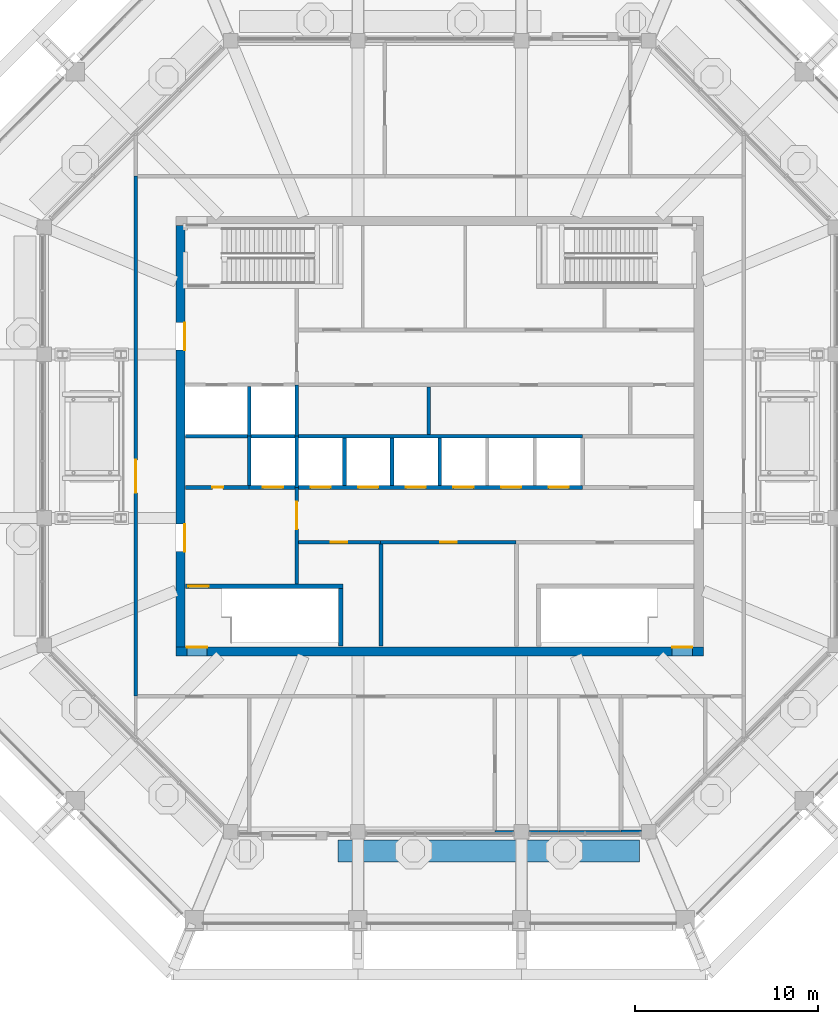
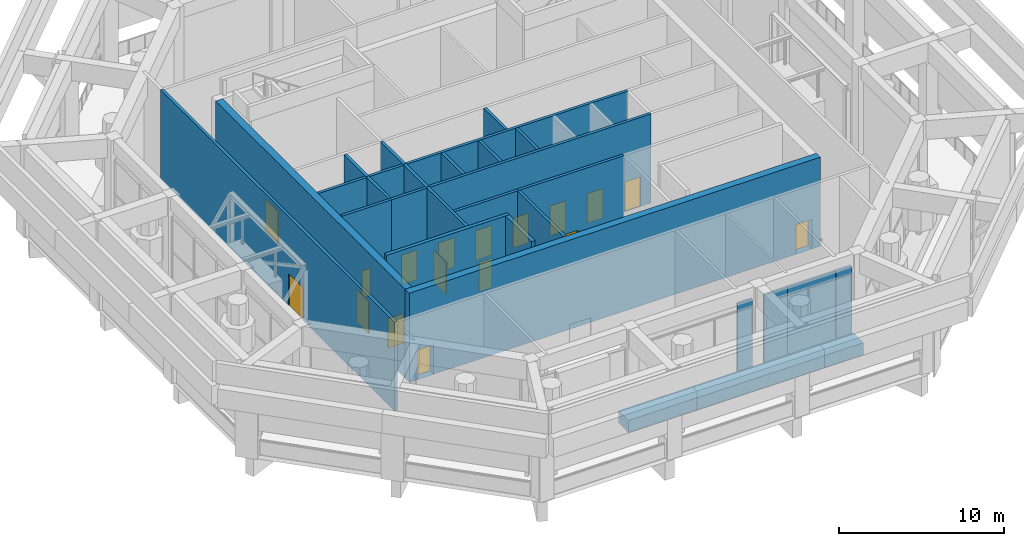
# One storey, part 14 of 29: 25 walls, 17 doors, 17 openings.
"""IFC4 building model written with IfcOpenShell, lengths in metres."""

from ifc_helpers import new_model, si_unit, direction, frame, frame_2d, origin, place, context, subcontext, project, spatial, rectangle, extrude, material, layer, layer_set, type_object, element, fill, save


model = new_model("IFC4")

# Units and contexts
model_context = context("Model", 3, precision=1e-05, world=origin(), true_north=direction((0.0, 1.0)))
body_context = subcontext(model_context, "Body", "Model", "MODEL_VIEW")
ifc_project = project(units=[si_unit("LENGTHUNIT", "METRE"), si_unit("AREAUNIT", "SQUARE_METRE"), si_unit("VOLUMEUNIT", "CUBIC_METRE"), si_unit("PLANEANGLEUNIT", "RADIAN"), si_unit("MASSUNIT", "GRAM", prefix="KILO")], contexts=[model_context])

# Site, building, storey
site_placement = place(None, origin())
site = spatial("IfcSite", under=ifc_project, at=site_placement, CompositionType="ELEMENT")
building_placement = place(site_placement, origin())
building = spatial("IfcBuilding", under=site, at=building_placement, Name="Msitu Wima Residences", CompositionType="ELEMENT")
storey_placement = place(building_placement, frame((0.0, 0.0, 320.10009765625)))
storey = spatial("IfcBuildingStorey", under=building, at=storey_placement, Name="L74", CompositionType="ELEMENT", Elevation=320.10009765625)

# Wall, openings, doors
ifc_material_1 = material(Name="Concrete C50/60", Category="concrete")
ifc_layer_1 = layer(ifc_material_1, 0.5)
ifc_layer_set_1 = layer_set([ifc_layer_1], Name="Concrete C50/60")
wall_type_1 = type_object("IfcWallType", Name="Core wall CW500 C50/60", PredefinedType="SHEAR", material=ifc_layer_set_1)
wall_1_placement = place(storey_placement, frame((-14.39990234375, -11.75, 0.0), z_axis=(0.0, 0.0, 1.0), x_axis=(1.0, 0.0, 0.0)))
wall_1 = element("IfcWall", 1, at=wall_1_placement, inside=storey, type_object=wall_type_1, Name="Core wall", PredefinedType="SHEAR", context=body_context, shape_type="SweptSolid", body=[
    extrude(rectangle(XDim=28.7998046875, YDim=0.5, at=frame_2d((14.39990234375, 0.0))), origin(), (0.0, 0.0, 1.0), 6.599853515625),
])
opening_1_placement = place(wall_1_placement, frame((0.60009765625, 0.0, 0.0)))
opening_1 = element("IfcOpeningElement", 2, at=opening_1_placement, cuts=wall_1, Name="Opening D74.034", PredefinedType="OPENING", context=body_context, shape_type="SweptSolid", body=[
    extrude(rectangle(XDim=1.10009765625, YDim=2.199951171875, at=frame_2d((0.550048828125, 1.10009765625))), frame((0.0, 0.260009765625, 0.0), z_axis=(0.0, -1.0, 0.0), x_axis=(1.0, 0.0, 0.0)), (0.0, 0.0, 1.0), 0.52001953125),
])
opening_2_placement = place(wall_1_placement, frame((27.10009765625, 0.0, 0.0)))
opening_2 = element("IfcOpeningElement", 3, at=opening_2_placement, cuts=wall_1, Name="Opening D74.036", PredefinedType="OPENING", context=body_context, shape_type="SweptSolid", body=[
    extrude(rectangle(XDim=1.10009765625, YDim=2.199951171875, at=frame_2d((0.550048828125, 1.10009765625))), frame((0.0, 0.260009765625, 0.0), z_axis=(0.0, -1.0, 0.0), x_axis=(1.0, 0.0, 0.0)), (0.0, 0.0, 1.0), 0.52001953125),
])
ifc_material_2 = material(Name="Steel door, fire resisting, panic bar", Category="steel")
door_type_1 = type_object("IfcDoorType", Name="Stair door D06 1100x2200", OperationType="SINGLE_SWING_LEFT", PredefinedType="DOOR", material=ifc_material_2)
door_1_placement = place(opening_1_placement, origin())
door_1 = element("IfcDoor", 4, at=door_1_placement, inside=storey, type_object=door_type_1, Name="Stair door", OperationType="SINGLE_SWING_LEFT", OverallHeight=2.199951171875, OverallWidth=1.10009765625, PredefinedType="DOOR", context=body_context, shape_type="SweptSolid", body=[
    extrude(rectangle(XDim=1.10009765625, YDim=2.199951171875, at=frame_2d((0.550048828125, 1.10009765625))), frame((0.0, 0.2451171875, 0.0), z_axis=(0.0, -1.0, 0.0), x_axis=(1.0, 0.0, 0.0)), (0.0, 0.0, 1.0), 0.050048828125),
])
fill(opening_1, door_1)
door_2_placement = place(opening_2_placement, origin())
door_2 = element("IfcDoor", 5, at=door_2_placement, inside=storey, type_object=door_type_1, Name="Stair door", OperationType="SINGLE_SWING_RIGHT", OverallHeight=2.199951171875, OverallWidth=1.10009765625, PredefinedType="DOOR", context=body_context, shape_type="SweptSolid", body=[
    extrude(rectangle(XDim=1.10009765625, YDim=2.199951171875, at=frame_2d((0.550048828125, 1.10009765625))), frame((0.0, 0.2451171875, 0.0), z_axis=(0.0, -1.0, 0.0), x_axis=(1.0, 0.0, 0.0)), (0.0, 0.0, 1.0), 0.050048828125),
])
fill(opening_2, door_2)

wall_2_placement = place(storey_placement, frame((-14.14990234375, -11.5, 0.0), z_axis=(0.0, 0.0, 1.0), x_axis=(0.0, 1.0, 0.0)))
wall_2 = element("IfcWall", 6, at=wall_2_placement, inside=storey, type_object=wall_type_1, Name="Core wall", PredefinedType="SHEAR", context=body_context, shape_type="SweptSolid", body=[
    extrude(rectangle(XDim=23.0, YDim=0.5, at=frame_2d((11.5, 0.0))), origin(), (0.0, 0.0, 1.0), 6.599853515625),
])
opening_3_placement = place(wall_2_placement, frame((16.199951171875, 0.0, 0.0)))
opening_3 = element("IfcOpeningElement", 7, at=opening_3_placement, cuts=wall_2, Name="Opening D74.031", PredefinedType="OPENING", context=body_context, shape_type="SweptSolid", body=[
    extrude(rectangle(XDim=1.5, YDim=2.39990234375, at=frame_2d((0.75, 1.199951171875))), frame((0.0, 0.260009765625, 0.0), z_axis=(0.0, -1.0, 0.0), x_axis=(1.0, 0.0, 0.0)), (0.0, 0.0, 1.0), 0.52001953125),
])
opening_4_placement = place(wall_2_placement, frame((5.199951171875, 0.0, 0.0)))
opening_4 = element("IfcOpeningElement", 8, at=opening_4_placement, cuts=wall_2, Name="Opening D74.032", PredefinedType="OPENING", context=body_context, shape_type="SweptSolid", body=[
    extrude(rectangle(XDim=1.5, YDim=2.39990234375, at=frame_2d((0.75, 1.199951171875))), frame((0.0, 0.260009765625, 0.0), z_axis=(0.0, -1.0, 0.0), x_axis=(1.0, 0.0, 0.0)), (0.0, 0.0, 1.0), 0.52001953125),
])
ifc_material_3 = material(Name="Steel framed glazed door, fire resisting", Category="steel")
door_type_2 = type_object("IfcDoorType", Name="Lobby door D07 1500x2400", OperationType="DOUBLE_DOOR_SINGLE_SWING", PredefinedType="DOOR", material=ifc_material_3)
door_3_placement = place(opening_3_placement, origin())
door_3 = element("IfcDoor", 9, at=door_3_placement, inside=storey, type_object=door_type_2, Name="Lobby door", OperationType="DOUBLE_DOOR_SINGLE_SWING", OverallHeight=2.39990234375, OverallWidth=1.5, PredefinedType="DOOR", context=body_context, shape_type="SweptSolid", body=[
    extrude(rectangle(XDim=1.5, YDim=2.39990234375, at=frame_2d((0.75, 1.199951171875))), frame((0.0, -0.19482421875, 0.0), z_axis=(0.0, -1.0, 0.0), x_axis=(1.0, 0.0, 0.0)), (0.0, 0.0, 1.0), 0.050048828125),
])
fill(opening_3, door_3)
door_4_placement = place(opening_4_placement, origin())
door_4 = element("IfcDoor", 10, at=door_4_placement, inside=storey, type_object=door_type_2, Name="Lobby door", OperationType="DOUBLE_DOOR_SINGLE_SWING", OverallHeight=2.39990234375, OverallWidth=1.5, PredefinedType="DOOR", context=body_context, shape_type="SweptSolid", body=[
    extrude(rectangle(XDim=1.5, YDim=2.39990234375, at=frame_2d((0.75, 1.199951171875))), frame((0.0, -0.19482421875, 0.0), z_axis=(0.0, -1.0, 0.0), x_axis=(1.0, 0.0, 0.0)), (0.0, 0.0, 1.0), 0.050048828125),
])
fill(opening_4, door_4)

# Wall, opening, door
ifc_material_4 = material(Name="Plaster")
ifc_layer_2 = layer(ifc_material_4, 0.011962890625, Name="Plaster")
ifc_material_5 = material(Name="Concrete blockwork", Category="masonry")
ifc_layer_3 = layer(ifc_material_5, 0.176025390625, Name="Concrete blockwork")
ifc_layer_4 = layer(ifc_material_4, 0.011962890625, Name="Plaster")
ifc_layer_set_2 = layer_set([ifc_layer_2, ifc_layer_3, ifc_layer_4], Name="Concrete blockwork")
wall_type_2 = type_object("IfcWallType", Name="Corridor wall FW200", PredefinedType="PARTITIONING", material=ifc_layer_set_2)
wall_3_placement = place(storey_placement, frame((-16.60009765625, -14.199951171875, 0.0), z_axis=(0.0, 0.0, 1.0), x_axis=(0.0, 1.0, 0.0)))
wall_3 = element("IfcWall", 11, at=wall_3_placement, inside=storey, type_object=wall_type_2, Name="Corridor wall", PredefinedType="PARTITIONING", context=body_context, shape_type="SweptSolid", body=[
    extrude(rectangle(XDim=28.39990234375, YDim=0.199951171875, at=frame_2d((14.199951171875, 0.0))), origin(), (0.0, 0.0, 1.0), 6.599853515625),
])
opening_5_placement = place(wall_3_placement, frame((11.10009765625, 0.0, 0.0)))
opening_5 = element("IfcOpeningElement", 12, at=opening_5_placement, cuts=wall_3, Name="Opening D74.022", PredefinedType="OPENING", context=body_context, shape_type="SweptSolid", body=[
    extrude(rectangle(XDim=1.800048828125, YDim=2.39990234375, at=frame_2d((0.89990234375, 1.199951171875))), frame((0.0, 0.10986328125, 0.0), z_axis=(0.0, -1.0, 0.0), x_axis=(1.0, 0.0, 0.0)), (0.0, 0.0, 1.0), 0.219970703125),
])
ifc_material_6 = material(Name="Steel door, fire resisting", Category="steel")
door_type_3 = type_object("IfcDoorType", Name="Plant room door D09 1800x2400", OperationType="DOUBLE_DOOR_SINGLE_SWING", PredefinedType="DOOR", material=ifc_material_6)
door_5_placement = place(opening_5_placement, origin())
door_5 = element("IfcDoor", 13, at=door_5_placement, inside=storey, type_object=door_type_3, Name="Plant room door", OperationType="DOUBLE_DOOR_SINGLE_SWING", OverallHeight=2.39990234375, OverallWidth=1.800048828125, PredefinedType="DOOR", context=body_context, shape_type="SweptSolid", body=[
    extrude(rectangle(XDim=1.800048828125, YDim=2.39990234375, at=frame_2d((0.89990234375, 1.199951171875))), frame((0.0, 0.02490234375, 0.0), z_axis=(0.0, -1.0, 0.0), x_axis=(1.0, 0.0, 0.0)), (0.0, 0.0, 1.0), 0.050048828125),
])
fill(opening_5, door_5)

wall_4_placement = place(storey_placement, frame((-7.800048828125, -8.074951171875, 0.0), z_axis=(0.0, 0.0, 1.0), x_axis=(0.0, 1.0, 0.0)))
wall_4 = element("IfcWall", 14, at=wall_4_placement, inside=storey, type_object=wall_type_2, Name="Corridor wall", PredefinedType="PARTITIONING", context=body_context, shape_type="SweptSolid", body=[
    extrude(rectangle(XDim=5.27490234375, YDim=0.199951171875, at=frame_2d((2.637451171875, 0.0))), origin(), (0.0, 0.0, 1.0), 6.599853515625),
])
opening_6_placement = place(wall_4_placement, frame((3.0, 0.0, 0.0)))
opening_6 = element("IfcOpeningElement", 15, at=opening_6_placement, cuts=wall_4, Name="Opening D74.005", PredefinedType="OPENING", context=body_context, shape_type="SweptSolid", body=[
    extrude(rectangle(XDim=1.5, YDim=2.39990234375, at=frame_2d((0.75, 1.199951171875))), frame((0.0, 0.10986328125, 0.0), z_axis=(0.0, -1.0, 0.0), x_axis=(1.0, 0.0, 0.0)), (0.0, 0.0, 1.0), 0.219970703125),
])
door_6_placement = place(opening_6_placement, origin())
door_6 = element("IfcDoor", 16, at=door_6_placement, inside=storey, type_object=door_type_2, Name="Lobby door", OperationType="DOUBLE_DOOR_SINGLE_SWING", OverallHeight=2.39990234375, OverallWidth=1.5, PredefinedType="DOOR", context=body_context, shape_type="SweptSolid", body=[
    extrude(rectangle(XDim=1.5, YDim=2.39990234375, at=frame_2d((0.75, 1.199951171875))), frame((0.0, 0.02490234375, 0.0), z_axis=(0.0, -1.0, 0.0), x_axis=(1.0, 0.0, 0.0)), (0.0, 0.0, 1.0), 0.050048828125),
])
fill(opening_6, door_6)

wall_5_placement = place(storey_placement, frame((-7.699951171875, -5.800048828125, 0.0), z_axis=(0.0, 0.0, 1.0), x_axis=(1.0, 0.0, 0.0)))
wall_5 = element("IfcWall", 17, at=wall_5_placement, inside=storey, type_object=wall_type_2, Name="Corridor wall", PredefinedType="PARTITIONING", context=body_context, shape_type="SweptSolid", body=[
    extrude(rectangle(XDim=4.47998046875, YDim=0.199951171875, at=frame_2d((2.239990234375, 0.0))), origin(), (0.0, 0.0, 1.0), 6.599853515625),
])
opening_7_placement = place(wall_5_placement, frame((1.75, 0.0, 0.0)))
opening_7 = element("IfcOpeningElement", 18, at=opening_7_placement, cuts=wall_5, Name="Opening D74.010", PredefinedType="OPENING", context=body_context, shape_type="SweptSolid", body=[
    extrude(rectangle(XDim=0.89990234375, YDim=2.199951171875, at=frame_2d((0.449951171875, 1.10009765625))), frame((0.0, 0.10986328125, 0.0), z_axis=(0.0, -1.0, 0.0), x_axis=(1.0, 0.0, 0.0)), (0.0, 0.0, 1.0), 0.219970703125),
])
ifc_material_7 = material(Name="Timber flush door", Category="wood")
door_type_4 = type_object("IfcDoorType", Name="Service door D05 900x2200", OperationType="SINGLE_SWING_LEFT", PredefinedType="DOOR", material=ifc_material_7)
door_7_placement = place(opening_7_placement, origin())
door_7 = element("IfcDoor", 19, at=door_7_placement, inside=storey, type_object=door_type_4, Name="Service door", OperationType="SINGLE_SWING_RIGHT", OverallHeight=2.199951171875, OverallWidth=0.89990234375, PredefinedType="DOOR", context=body_context, shape_type="SweptSolid", body=[
    extrude(rectangle(XDim=0.89990234375, YDim=2.199951171875, at=frame_2d((0.449951171875, 1.10009765625))), frame((0.0, 0.02490234375, 0.0), z_axis=(0.0, -1.0, 0.0), x_axis=(1.0, 0.0, 0.0)), (0.0, 0.0, 1.0), 0.050048828125),
])
fill(opening_7, door_7)

# Walls
ifc_material_8 = material(Name="Facing brick")
ifc_layer_5 = layer(ifc_material_8, 0.06494140625, Name="Facing brick")
ifc_material_9 = material(Name="Concrete C40/50", Category="concrete")
ifc_layer_6 = layer(ifc_material_9, 0.531005859375, Name="Concrete C40/50")
ifc_material_10 = material(Name="Waterproofing membrane")
ifc_layer_7 = layer(ifc_material_10, 0.00390625, Name="Waterproofing membrane")
ifc_material_11 = material(Name="Planting soil and planting")
ifc_layer_8 = layer(ifc_material_11, 0.60009765625, Name="Planting soil and planting")
ifc_layer_set_3 = layer_set([ifc_layer_5, ifc_layer_6, ifc_layer_7, ifc_layer_8], Name="Concrete C40/50")
wall_type_3 = type_object("IfcWallType", Name="Deck planter PLANTER PL1200", PredefinedType="USERDEFINED", material=ifc_layer_set_3)
wall_6_placement = place(storey_placement, frame((-5.5400390625, -22.64990234375, 0.0), z_axis=(0.0, 0.0, 1.0), x_axis=(1.0, 0.0, 0.0)))
element("IfcWall", 20, at=wall_6_placement, inside=storey, type_object=wall_type_3, Name="Deck planter 7b", ObjectType="PLANTER", PredefinedType="USERDEFINED", context=body_context, shape_type="SweptSolid", body=[
    extrude(rectangle(XDim=16.460693359375, YDim=1.199951171875, at=frame_2d((8.23046875, 0.0))), origin(), (0.0, 0.0, 1.0), 0.89990234375),
])
ifc_layer_9 = layer(ifc_material_4, 0.011962890625, Name="Plaster")
ifc_layer_10 = layer(ifc_material_5, 0.1259765625, Name="Concrete blockwork")
ifc_layer_11 = layer(ifc_material_4, 0.011962890625, Name="Plaster")
ifc_layer_set_4 = layer_set([ifc_layer_9, ifc_layer_10, ifc_layer_11], Name="Concrete blockwork")
wall_type_4 = type_object("IfcWallType", Name="Partition PW150", PredefinedType="PARTITIONING", material=ifc_layer_set_4)
wall_7_placement = place(storey_placement, frame((3.02001953125, -21.60009765625, 0.0), z_axis=(0.0, 0.0, 1.0), x_axis=(1.0, 0.0, 0.0)))
element("IfcWall", 21, at=wall_7_placement, inside=storey, type_object=wall_type_4, Name="Partition", PredefinedType="PARTITIONING", context=body_context, shape_type="SweptSolid", body=[
    extrude(rectangle(XDim=1.048583984375, YDim=0.14990234375, at=frame_2d((0.5244140625, 0.0))), origin(), (0.0, 0.0, 1.0), 5.599853515625),
])
wall_8_placement = place(storey_placement, frame((4.86865234375, -21.60009765625, 0.0), z_axis=(0.0, 0.0, 1.0), x_axis=(1.0, 0.0, 0.0)))
element("IfcWall", 22, at=wall_8_placement, inside=storey, type_object=wall_type_4, Name="Partition", PredefinedType="PARTITIONING", context=body_context, shape_type="SweptSolid", body=[
    extrude(rectangle(XDim=1.63134765625, YDim=0.14990234375, at=frame_2d((0.815673828125, 0.0))), origin(), (0.0, 0.0, 1.0), 5.599853515625),
])
wall_9_placement = place(storey_placement, frame((6.52001953125, -21.60009765625, 0.0), z_axis=(0.0, 0.0, 1.0), x_axis=(1.0, 0.0, 0.0)))
element("IfcWall", 23, at=wall_9_placement, inside=storey, type_object=wall_type_4, Name="Partition", PredefinedType="PARTITIONING", context=body_context, shape_type="SweptSolid", body=[
    extrude(rectangle(XDim=3.35986328125, YDim=0.14990234375, at=frame_2d((1.679931640625, 0.0))), origin(), (0.0, 0.0, 1.0), 5.599853515625),
])

# Wall, opening, door
ifc_layer_12 = layer(ifc_material_4, 0.011962890625, Name="Plaster")
ifc_material_12 = material(Name="Reinforced concrete blockwork", Category="masonry")
ifc_layer_13 = layer(ifc_material_12, 0.176025390625, Name="Reinforced concrete blockwork")
ifc_layer_14 = layer(ifc_material_4, 0.011962890625, Name="Plaster")
ifc_layer_set_5 = layer_set([ifc_layer_12, ifc_layer_13, ifc_layer_14], Name="Reinforced concrete blockwork")
wall_type_5 = type_object("IfcWallType", Name="Plant and riser wall PL200", PredefinedType="PARTITIONING", material=ifc_layer_set_5)
wall_10_placement = place(storey_placement, frame((-13.8701171875, -2.800048828125, 0.0), z_axis=(0.0, 0.0, 1.0), x_axis=(1.0, 0.0, 0.0)))
wall_10 = element("IfcWall", 24, at=wall_10_placement, inside=storey, type_object=wall_type_5, Name="Plant and riser wall", PredefinedType="PARTITIONING", context=body_context, shape_type="SweptSolid", body=[
    extrude(rectangle(XDim=3.47021484375, YDim=0.199951171875, at=frame_2d((1.735107421875, 0.0))), origin(), (0.0, 0.0, 1.0), 6.599853515625),
])
opening_8_placement = place(wall_10_placement, frame((1.449951171875, 0.0, 0.0)))
opening_8 = element("IfcOpeningElement", 25, at=opening_8_placement, cuts=wall_10, Name="Opening D74.016", PredefinedType="OPENING", context=body_context, shape_type="SweptSolid", body=[
    extrude(rectangle(XDim=0.60009765625, YDim=2.0, at=frame_2d((0.300048828125, 1.0))), frame((0.0, 0.10986328125, 0.0), z_axis=(0.0, -1.0, 0.0), x_axis=(1.0, 0.0, 0.0)), (0.0, 0.0, 1.0), 0.219970703125),
])
ifc_material_13 = material(Name="Steel access door, fire resisting", Category="steel")
door_type_5 = type_object("IfcDoorType", Name="Riser access door D08 600x2000", OperationType="SINGLE_SWING_LEFT", PredefinedType="DOOR", material=ifc_material_13)
door_8_placement = place(opening_8_placement, origin())
door_8 = element("IfcDoor", 26, at=door_8_placement, inside=storey, type_object=door_type_5, Name="Riser access door", OperationType="SINGLE_SWING_RIGHT", OverallHeight=2.0, OverallWidth=0.60009765625, PredefinedType="DOOR", context=body_context, shape_type="SweptSolid", body=[
    extrude(rectangle(XDim=0.60009765625, YDim=2.0, at=frame_2d((0.300048828125, 1.0))), frame((0.0, 0.02490234375, 0.0), z_axis=(0.0, -1.0, 0.0), x_axis=(1.0, 0.0, 0.0)), (0.0, 0.0, 1.0), 0.050048828125),
])
fill(opening_8, door_8)

wall_11_placement = place(storey_placement, frame((-3.219970703125, -5.800048828125, 0.0), z_axis=(0.0, 0.0, 1.0), x_axis=(1.0, 0.0, 0.0)))
wall_11 = element("IfcWall", 27, at=wall_11_placement, inside=storey, type_object=wall_type_5, Name="Plant and riser wall", PredefinedType="PARTITIONING", context=body_context, shape_type="SweptSolid", body=[
    extrude(rectangle(XDim=7.39990234375, YDim=0.199951171875, at=frame_2d((3.699951171875, 0.0))), origin(), (0.0, 0.0, 1.0), 6.599853515625),
])
opening_9_placement = place(wall_11_placement, frame((3.25, 0.0, 0.0)))
opening_9 = element("IfcOpeningElement", 28, at=opening_9_placement, cuts=wall_11, Name="Opening D74.011", PredefinedType="OPENING", context=body_context, shape_type="SweptSolid", body=[
    extrude(rectangle(XDim=0.89990234375, YDim=2.199951171875, at=frame_2d((0.449951171875, 1.10009765625))), frame((0.0, 0.10986328125, 0.0), z_axis=(0.0, -1.0, 0.0), x_axis=(1.0, 0.0, 0.0)), (0.0, 0.0, 1.0), 0.219970703125),
])
door_9_placement = place(opening_9_placement, origin())
door_9 = element("IfcDoor", 29, at=door_9_placement, inside=storey, type_object=door_type_4, Name="Service door", OperationType="SINGLE_SWING_RIGHT", OverallHeight=2.199951171875, OverallWidth=0.89990234375, PredefinedType="DOOR", context=body_context, shape_type="SweptSolid", body=[
    extrude(rectangle(XDim=0.89990234375, YDim=2.199951171875, at=frame_2d((0.449951171875, 1.10009765625))), frame((0.0, 0.02490234375, 0.0), z_axis=(0.0, -1.0, 0.0), x_axis=(1.0, 0.0, 0.0)), (0.0, 0.0, 1.0), 0.050048828125),
])
fill(opening_9, door_9)

# Walls
wall_12_placement = place(storey_placement, frame((-3.199951171875, -11.469970703125, 0.0), z_axis=(0.0, 0.0, 1.0), x_axis=(0.0, 1.0, 0.0)))
element("IfcWall", 30, at=wall_12_placement, inside=storey, type_object=wall_type_5, Name="Plant and riser wall", PredefinedType="PARTITIONING", context=body_context, shape_type="SweptSolid", body=[
    extrude(rectangle(XDim=5.570068359375, YDim=0.199951171875, at=frame_2d((2.78515625, 0.0))), origin(), (0.0, 0.0, 1.0), 6.599853515625),
])
wall_13_placement = place(storey_placement, frame((-0.60009765625, 0.10009765625, 0.0), z_axis=(0.0, 0.0, 1.0), x_axis=(0.0, 1.0, 0.0)))
element("IfcWall", 31, at=wall_13_placement, inside=storey, type_object=wall_type_5, Name="Plant and riser wall", PredefinedType="PARTITIONING", context=body_context, shape_type="SweptSolid", body=[
    extrude(rectangle(XDim=2.599853515625, YDim=0.199951171875, at=frame_2d((1.2998046875, 0.0))), origin(), (0.0, 0.0, 1.0), 6.599853515625),
])
wall_14_placement = place(storey_placement, frame((9.89990234375, -21.60009765625, 0.0), z_axis=(0.0, 0.0, 1.0), x_axis=(1.0, 0.0, 0.0)))
element("IfcWall", 32, at=wall_14_placement, inside=storey, type_object=wall_type_5, Name="Plant and riser wall", PredefinedType="PARTITIONING", context=body_context, shape_type="SweptSolid", body=[
    extrude(rectangle(XDim=1.11767578125, YDim=0.199951171875, at=frame_2d((0.558837890625, 0.0))), origin(), (0.0, 0.0, 1.0), 5.599853515625),
])
ifc_material_14 = material(Name="Fire-rated board")
ifc_layer_15 = layer(ifc_material_14, 0.02490234375, Name="Fire-rated board")
ifc_material_15 = material(Name="Light-gauge stud framing with mineral wool")
ifc_layer_16 = layer(ifc_material_15, 0.14990234375, Name="Light-gauge stud framing with mineral wool")
ifc_layer_17 = layer(ifc_material_14, 0.02490234375, Name="Fire-rated board")
ifc_layer_set_6 = layer_set([ifc_layer_15, ifc_layer_16, ifc_layer_17], Name="Light-gauge stud framing with mineral wool")
wall_type_6 = type_object("IfcWallType", Name="Shaft wall SH200", PredefinedType="PARTITIONING", material=ifc_layer_set_6)
wall_15_placement = place(storey_placement, frame((-13.8701171875, 0.0, 0.0), z_axis=(0.0, 0.0, 1.0), x_axis=(1.0, 0.0, 0.0)))
element("IfcWall", 33, at=wall_15_placement, inside=storey, type_object=wall_type_6, Name="Shaft wall", PredefinedType="PARTITIONING", context=body_context, shape_type="SweptSolid", body=[
    extrude(rectangle(XDim=21.670166015625, YDim=0.199951171875, at=frame_2d((10.8349609375, 0.0))), origin(), (0.0, 0.0, 1.0), 6.599853515625),
])
wall_16_placement = place(storey_placement, frame((-10.39990234375, -2.699951171875, 0.0), z_axis=(0.0, 0.0, 1.0), x_axis=(0.0, 1.0, 0.0)))
element("IfcWall", 34, at=wall_16_placement, inside=storey, type_object=wall_type_6, Name="Shaft wall", PredefinedType="PARTITIONING", context=body_context, shape_type="SweptSolid", body=[
    extrude(rectangle(XDim=2.699951171875, YDim=0.199951171875, at=frame_2d((1.35009765625, 0.0))), origin(), (0.0, 0.0, 1.0), 6.599853515625),
])

# Wall, openings, doors
wall_17_placement = place(storey_placement, frame((-10.39990234375, -2.800048828125, 0.0), z_axis=(0.0, 0.0, 1.0), x_axis=(1.0, 0.0, 0.0)))
wall_17 = element("IfcWall", 35, at=wall_17_placement, inside=storey, type_object=wall_type_6, Name="Shaft wall", PredefinedType="PARTITIONING", context=body_context, shape_type="SweptSolid", body=[
    extrude(rectangle(XDim=18.199951171875, YDim=0.199951171875, at=frame_2d((9.10009765625, 0.0))), origin(), (0.0, 0.0, 1.0), 6.599853515625),
])
opening_10_placement = place(wall_17_placement, frame((0.75, 0.0, 0.0)))
opening_10 = element("IfcOpeningElement", 36, at=opening_10_placement, cuts=wall_17, Name="Opening LD", PredefinedType="OPENING", context=body_context, shape_type="SweptSolid", body=[
    extrude(rectangle(XDim=1.10009765625, YDim=2.199951171875, at=frame_2d((0.550048828125, 1.10009765625))), frame((0.0, 0.10986328125, 0.0), z_axis=(0.0, -1.0, 0.0), x_axis=(1.0, 0.0, 0.0)), (0.0, 0.0, 1.0), 0.219970703125),
])
opening_11_placement = place(wall_17_placement, frame((3.35009765625, 0.0, 0.0)))
opening_11 = element("IfcOpeningElement", 37, at=opening_11_placement, cuts=wall_17, Name="Opening LD", PredefinedType="OPENING", context=body_context, shape_type="SweptSolid", body=[
    extrude(rectangle(XDim=1.10009765625, YDim=2.199951171875, at=frame_2d((0.550048828125, 1.10009765625))), frame((0.0, 0.10986328125, 0.0), z_axis=(0.0, -1.0, 0.0), x_axis=(1.0, 0.0, 0.0)), (0.0, 0.0, 1.0), 0.219970703125),
])
opening_12_placement = place(wall_17_placement, frame((5.949951171875, 0.0, 0.0)))
opening_12 = element("IfcOpeningElement", 38, at=opening_12_placement, cuts=wall_17, Name="Opening LD", PredefinedType="OPENING", context=body_context, shape_type="SweptSolid", body=[
    extrude(rectangle(XDim=1.10009765625, YDim=2.199951171875, at=frame_2d((0.550048828125, 1.10009765625))), frame((0.0, 0.10986328125, 0.0), z_axis=(0.0, -1.0, 0.0), x_axis=(1.0, 0.0, 0.0)), (0.0, 0.0, 1.0), 0.219970703125),
])
opening_13_placement = place(wall_17_placement, frame((8.550048828125, 0.0, 0.0)))
opening_13 = element("IfcOpeningElement", 39, at=opening_13_placement, cuts=wall_17, Name="Opening LD", PredefinedType="OPENING", context=body_context, shape_type="SweptSolid", body=[
    extrude(rectangle(XDim=1.10009765625, YDim=2.199951171875, at=frame_2d((0.550048828125, 1.10009765625))), frame((0.0, 0.10986328125, 0.0), z_axis=(0.0, -1.0, 0.0), x_axis=(1.0, 0.0, 0.0)), (0.0, 0.0, 1.0), 0.219970703125),
])
opening_14_placement = place(wall_17_placement, frame((11.14990234375, 0.0, 0.0)))
opening_14 = element("IfcOpeningElement", 40, at=opening_14_placement, cuts=wall_17, Name="Opening LD", PredefinedType="OPENING", context=body_context, shape_type="SweptSolid", body=[
    extrude(rectangle(XDim=1.10009765625, YDim=2.199951171875, at=frame_2d((0.550048828125, 1.10009765625))), frame((0.0, 0.10986328125, 0.0), z_axis=(0.0, -1.0, 0.0), x_axis=(1.0, 0.0, 0.0)), (0.0, 0.0, 1.0), 0.219970703125),
])
opening_15_placement = place(wall_17_placement, frame((13.75, 0.0, 0.0)))
opening_15 = element("IfcOpeningElement", 41, at=opening_15_placement, cuts=wall_17, Name="Opening LD", PredefinedType="OPENING", context=body_context, shape_type="SweptSolid", body=[
    extrude(rectangle(XDim=1.10009765625, YDim=2.199951171875, at=frame_2d((0.550048828125, 1.10009765625))), frame((0.0, 0.10986328125, 0.0), z_axis=(0.0, -1.0, 0.0), x_axis=(1.0, 0.0, 0.0)), (0.0, 0.0, 1.0), 0.219970703125),
])
opening_16_placement = place(wall_17_placement, frame((16.35009765625, 0.0, 0.0)))
opening_16 = element("IfcOpeningElement", 42, at=opening_16_placement, cuts=wall_17, Name="Opening LD", PredefinedType="OPENING", context=body_context, shape_type="SweptSolid", body=[
    extrude(rectangle(XDim=1.10009765625, YDim=2.199951171875, at=frame_2d((0.550048828125, 1.10009765625))), frame((0.0, 0.10986328125, 0.0), z_axis=(0.0, -1.0, 0.0), x_axis=(1.0, 0.0, 0.0)), (0.0, 0.0, 1.0), 0.219970703125),
])
ifc_material_16 = material(Name="Stainless steel centre-opening landing door, rated", Category="steel")
door_type_6 = type_object("IfcDoorType", Name="Lift landing door LD 1100x2200", OperationType="DOUBLE_DOOR_SLIDING", PredefinedType="DOOR", material=ifc_material_16)
door_10_placement = place(opening_10_placement, origin())
door_10 = element("IfcDoor", 43, at=door_10_placement, inside=storey, type_object=door_type_6, Name="Lift landing door LD3", OperationType="DOUBLE_DOOR_SLIDING", OverallHeight=2.199951171875, OverallWidth=1.10009765625, PredefinedType="DOOR", context=body_context, shape_type="SweptSolid", body=[
    extrude(rectangle(XDim=1.10009765625, YDim=2.199951171875, at=frame_2d((0.550048828125, 1.10009765625))), frame((0.0, 0.02490234375, 0.0), z_axis=(0.0, -1.0, 0.0), x_axis=(1.0, 0.0, 0.0)), (0.0, 0.0, 1.0), 0.050048828125),
])
fill(opening_10, door_10)
door_11_placement = place(opening_11_placement, origin())
door_11 = element("IfcDoor", 44, at=door_11_placement, inside=storey, type_object=door_type_6, Name="Lift landing door LD5", OperationType="DOUBLE_DOOR_SLIDING", OverallHeight=2.199951171875, OverallWidth=1.10009765625, PredefinedType="DOOR", context=body_context, shape_type="SweptSolid", body=[
    extrude(rectangle(XDim=1.10009765625, YDim=2.199951171875, at=frame_2d((0.550048828125, 1.10009765625))), frame((0.0, 0.02490234375, 0.0), z_axis=(0.0, -1.0, 0.0), x_axis=(1.0, 0.0, 0.0)), (0.0, 0.0, 1.0), 0.050048828125),
])
fill(opening_11, door_11)
door_12_placement = place(opening_12_placement, origin())
door_12 = element("IfcDoor", 45, at=door_12_placement, inside=storey, type_object=door_type_6, Name="Lift landing door LD7", OperationType="DOUBLE_DOOR_SLIDING", OverallHeight=2.199951171875, OverallWidth=1.10009765625, PredefinedType="DOOR", context=body_context, shape_type="SweptSolid", body=[
    extrude(rectangle(XDim=1.10009765625, YDim=2.199951171875, at=frame_2d((0.550048828125, 1.10009765625))), frame((0.0, 0.02490234375, 0.0), z_axis=(0.0, -1.0, 0.0), x_axis=(1.0, 0.0, 0.0)), (0.0, 0.0, 1.0), 0.050048828125),
])
fill(opening_12, door_12)
door_13_placement = place(opening_13_placement, origin())
door_13 = element("IfcDoor", 46, at=door_13_placement, inside=storey, type_object=door_type_6, Name="Lift landing door LD9", OperationType="DOUBLE_DOOR_SLIDING", OverallHeight=2.199951171875, OverallWidth=1.10009765625, PredefinedType="DOOR", context=body_context, shape_type="SweptSolid", body=[
    extrude(rectangle(XDim=1.10009765625, YDim=2.199951171875, at=frame_2d((0.550048828125, 1.10009765625))), frame((0.0, 0.02490234375, 0.0), z_axis=(0.0, -1.0, 0.0), x_axis=(1.0, 0.0, 0.0)), (0.0, 0.0, 1.0), 0.050048828125),
])
fill(opening_13, door_13)
door_14_placement = place(opening_14_placement, origin())
door_14 = element("IfcDoor", 47, at=door_14_placement, inside=storey, type_object=door_type_6, Name="Lift landing door LD11", OperationType="DOUBLE_DOOR_SLIDING", OverallHeight=2.199951171875, OverallWidth=1.10009765625, PredefinedType="DOOR", context=body_context, shape_type="SweptSolid", body=[
    extrude(rectangle(XDim=1.10009765625, YDim=2.199951171875, at=frame_2d((0.550048828125, 1.10009765625))), frame((0.0, 0.02490234375, 0.0), z_axis=(0.0, -1.0, 0.0), x_axis=(1.0, 0.0, 0.0)), (0.0, 0.0, 1.0), 0.050048828125),
])
fill(opening_14, door_14)
door_15_placement = place(opening_15_placement, origin())
door_15 = element("IfcDoor", 48, at=door_15_placement, inside=storey, type_object=door_type_6, Name="Lift landing door LD13", OperationType="DOUBLE_DOOR_SLIDING", OverallHeight=2.199951171875, OverallWidth=1.10009765625, PredefinedType="DOOR", context=body_context, shape_type="SweptSolid", body=[
    extrude(rectangle(XDim=1.10009765625, YDim=2.199951171875, at=frame_2d((0.550048828125, 1.10009765625))), frame((0.0, 0.02490234375, 0.0), z_axis=(0.0, -1.0, 0.0), x_axis=(1.0, 0.0, 0.0)), (0.0, 0.0, 1.0), 0.050048828125),
])
fill(opening_15, door_15)
door_16_placement = place(opening_16_placement, origin())
door_16 = element("IfcDoor", 49, at=door_16_placement, inside=storey, type_object=door_type_6, Name="Lift landing door LD15", OperationType="DOUBLE_DOOR_SLIDING", OverallHeight=2.199951171875, OverallWidth=1.10009765625, PredefinedType="DOOR", context=body_context, shape_type="SweptSolid", body=[
    extrude(rectangle(XDim=1.10009765625, YDim=2.199951171875, at=frame_2d((0.550048828125, 1.10009765625))), frame((0.0, 0.02490234375, 0.0), z_axis=(0.0, -1.0, 0.0), x_axis=(1.0, 0.0, 0.0)), (0.0, 0.0, 1.0), 0.050048828125),
])
fill(opening_16, door_16)

# Walls
wall_18_placement = place(storey_placement, frame((-10.39990234375, 0.0, 0.0), z_axis=(0.0, 0.0, 1.0), x_axis=(0.0, 1.0, 0.0)))
element("IfcWall", 50, at=wall_18_placement, inside=storey, type_object=wall_type_6, Name="Shaft wall", PredefinedType="PARTITIONING", context=body_context, shape_type="SweptSolid", body=[
    extrude(rectangle(XDim=2.699951171875, YDim=0.199951171875, at=frame_2d((1.35009765625, 0.0))), origin(), (0.0, 0.0, 1.0), 6.599853515625),
])
for number, where, z_axis, x_axis, name in (
    (51, (-7.800048828125, -2.800048828125, 0.0), (0.0, 0.0, 1.0), (0.0, 1.0, 0.0), "Shaft wall"),
    (52, (-7.800048828125, 0.0, 0.0), (0.0, 0.0, 1.0), (0.0, 1.0, 0.0), "Shaft wall"),
):
    element("IfcWall", number, at=place(storey_placement, frame(where, z_axis=z_axis, x_axis=x_axis)), inside=storey, type_object=wall_type_6, Name=name, PredefinedType="PARTITIONING", context=body_context, shape_type="SweptSolid", body=[
        extrude(rectangle(XDim=2.800048828125, YDim=0.199951171875, at=frame_2d((1.39990234375, 0.0))), origin(), (0.0, 0.0, 1.0), 6.599853515625),
    ])
for number, where, z_axis, x_axis, name in (
    (53, (-5.199951171875, -2.699951171875, 0.0), (0.0, 0.0, 1.0), (0.0, 1.0, 0.0), "Shaft wall"),
    (54, (-2.60009765625, -2.699951171875, 0.0), (0.0, 0.0, 1.0), (0.0, 1.0, 0.0), "Shaft wall"),
    (55, (0.0, -2.699951171875, 0.0), (0.0, 0.0, 1.0), (0.0, 1.0, 0.0), "Shaft wall"),
):
    element("IfcWall", number, at=place(storey_placement, frame(where, z_axis=z_axis, x_axis=x_axis)), inside=storey, type_object=wall_type_6, Name=name, PredefinedType="PARTITIONING", context=body_context, shape_type="SweptSolid", body=[
        extrude(rectangle(XDim=2.599853515625, YDim=0.199951171875, at=frame_2d((1.2998046875, 0.0))), origin(), (0.0, 0.0, 1.0), 6.599853515625),
    ])

# Wall, opening, door
ifc_layer_18 = layer(ifc_material_1, 0.25)
ifc_layer_set_7 = layer_set([ifc_layer_18], Name="Concrete C50/60")
wall_type_7 = type_object("IfcWallType", Name="Stair enclosure wall SW250", PredefinedType="SHEAR", material=ifc_layer_set_7)
wall_19_placement = place(storey_placement, frame((-13.8701171875, -8.199951171875, 0.0), z_axis=(0.0, 0.0, 1.0), x_axis=(1.0, 0.0, 0.0)))
wall_19 = element("IfcWall", 56, at=wall_19_placement, inside=storey, type_object=wall_type_7, Name="Stair enclosure wall", PredefinedType="SHEAR", context=body_context, shape_type="SweptSolid", body=[
    extrude(rectangle(XDim=8.59521484375, YDim=0.25, at=frame_2d((4.297607421875, 0.0))), origin(), (0.0, 0.0, 1.0), 7.0),
])
opening_17_placement = place(wall_19_placement, frame((0.14990234375, 0.0, 0.0)))
opening_17 = element("IfcOpeningElement", 57, at=opening_17_placement, cuts=wall_19, Name="Opening D74.018", PredefinedType="OPENING", context=body_context, shape_type="SweptSolid", body=[
    extrude(rectangle(XDim=1.10009765625, YDim=2.199951171875, at=frame_2d((0.550048828125, 1.10009765625))), frame((0.0, 0.135009765625, 0.0), z_axis=(0.0, -1.0, 0.0), x_axis=(1.0, 0.0, 0.0)), (0.0, 0.0, 1.0), 0.27001953125),
])
door_17_placement = place(opening_17_placement, origin())
door_17 = element("IfcDoor", 58, at=door_17_placement, inside=storey, type_object=door_type_1, Name="Stair door", OperationType="SINGLE_SWING_RIGHT", OverallHeight=2.199951171875, OverallWidth=1.10009765625, PredefinedType="DOOR", context=body_context, shape_type="SweptSolid", body=[
    extrude(rectangle(XDim=1.10009765625, YDim=2.199951171875, at=frame_2d((0.550048828125, 1.10009765625))), frame((0.0, 0.02490234375, 0.0), z_axis=(0.0, -1.0, 0.0), x_axis=(1.0, 0.0, 0.0)), (0.0, 0.0, 1.0), 0.050048828125),
])
fill(opening_17, door_17)

# Wall
wall_20_placement = place(storey_placement, frame((-5.39990234375, -11.469970703125, 0.0), z_axis=(0.0, 0.0, 1.0), x_axis=(0.0, 1.0, 0.0)))
element("IfcWall", 59, at=wall_20_placement, inside=storey, type_object=wall_type_7, Name="Stair enclosure wall", PredefinedType="SHEAR", context=body_context, shape_type="SweptSolid", body=[
    extrude(rectangle(XDim=3.14501953125, YDim=0.25, at=frame_2d((1.572509765625, 0.0))), origin(), (0.0, 0.0, 1.0), 7.0),
])

save(model, "model.ifc")
